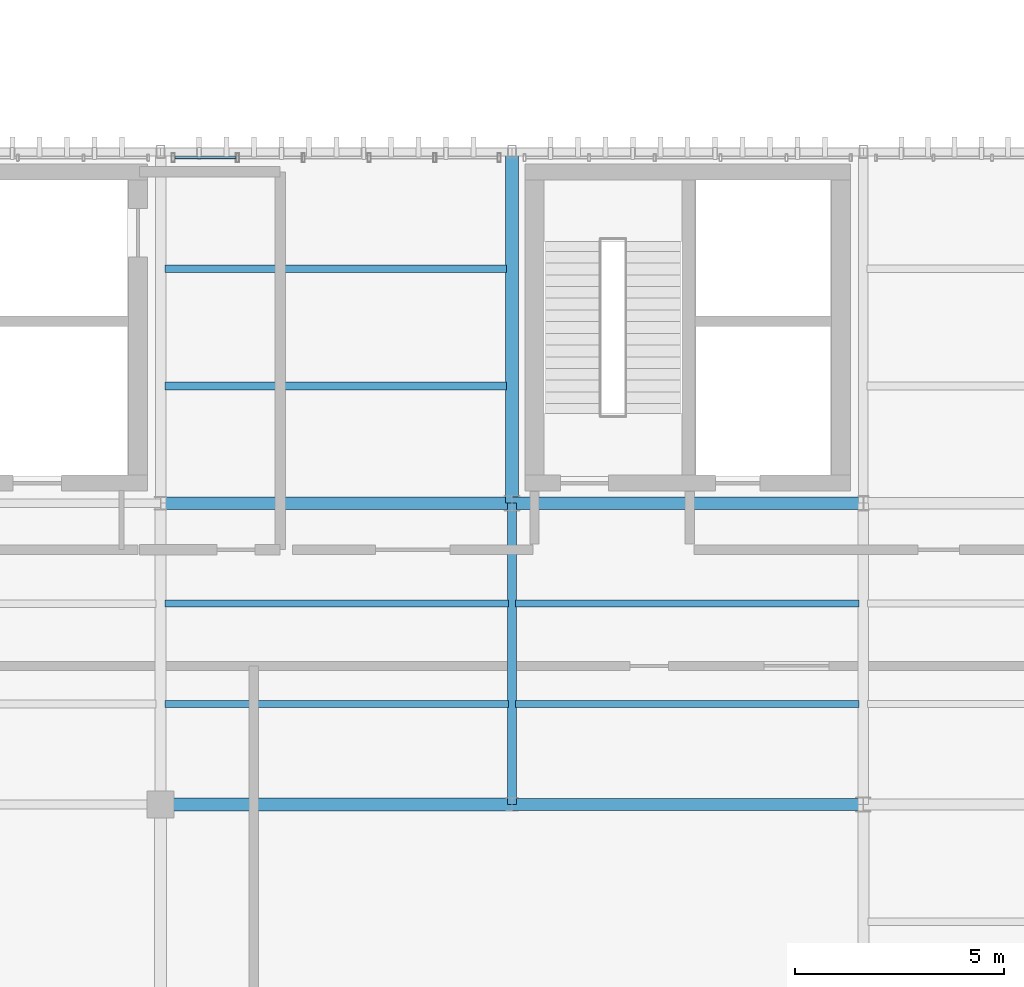
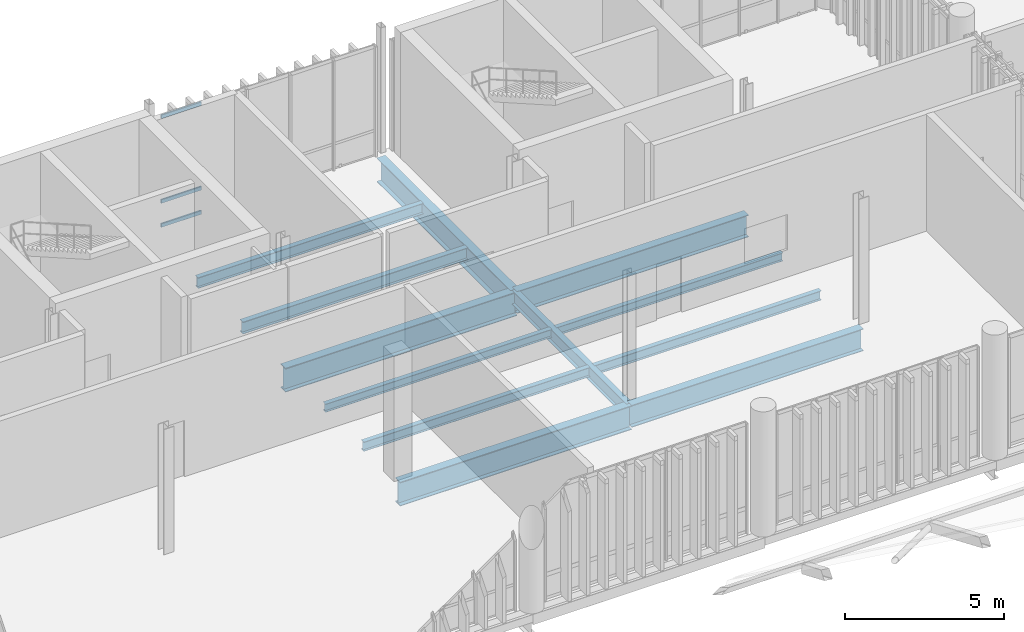
# One storey, part 24 of 94: 12 beams, 3 members, 1 element without a shape of its own.
"""IFC4 building model written with IfcOpenShell, lengths in metres."""

import ifcopenshell
import ifcopenshell.guid

model = None  # the IFC model being written
_history = None  # IfcOwnerHistory: only IFC2X3 demands one
_inside = {}  # id of a spatial element -> (the spatial element, [elements in it])
_under = {}  # id of a project, library or spatial element -> (it, [spatial elements below it])
_declared = {}  # id of a project -> (the project, [libraries it declares])
_typed = {}  # id of a type object -> (the type object, [elements of that type])
_made_of = {}  # id of a material, layer set ... -> (it, [elements and type objects made of it])


def new_model(schema):
    """Start an empty IFC model of exactly this schema.

    Asked for "IFC4X3", IfcOpenShell would pick the latest addendum, in which some entities
    have other attributes; the version numbers below select the first issue.
    IFC2X3 requires an IfcOwnerHistory on every rooted entity: one is made here for all.
    """
    global model, _history
    if schema == "IFC4X3":
        model = ifcopenshell.file(schema_version=(4, 3, 0, 0))
    else:
        model = ifcopenshell.file(schema=schema)
    _inside.clear()
    _under.clear()
    _declared.clear()
    _typed.clear()
    _made_of.clear()
    _history = None
    if model.schema == "IFC2X3":
        org = make("IfcOrganization", Name="unknown")
        user = make(
            "IfcPersonAndOrganization",
            ThePerson=make("IfcPerson", FamilyName="unknown"),
            TheOrganization=org,
        )
        app = make(
            "IfcApplication",
            ApplicationDeveloper=org,
            Version="unknown",
            ApplicationFullName="unknown",
            ApplicationIdentifier="unknown",
        )
        _history = make(
            "IfcOwnerHistory",
            OwningUser=user,
            OwningApplication=app,
            ChangeAction="ADDED",
            CreationDate=0,
        )
    return model


def make(cls, **values):
    """One entity of the class cls with the attributes given. An attribute that is None is left unset."""
    return model.create_entity(
        cls, **{name: value for name, value in values.items() if value is not None}
    )


def rooted(cls, **values):
    """An entity with a GlobalId (a new one), such as an element, a storey or a relation."""
    return make(cls, GlobalId=ifcopenshell.guid.new(), OwnerHistory=_history, **values)


def si_unit(unit_type, name, prefix=None):
    """IfcSIUnit, for example si_unit("LENGTHUNIT", "METRE", prefix="MILLI")."""
    return make("IfcSIUnit", UnitType=unit_type, Prefix=prefix, Name=name)


def assignment(units):
    """IfcUnitAssignment: the units of a project."""
    return None if units is None else make("IfcUnitAssignment", Units=units)


def point(xyz):
    """IfcCartesianPoint."""
    return None if xyz is None else make("IfcCartesianPoint", Coordinates=xyz)


def direction(xyz):
    """IfcDirection."""
    return None if xyz is None else make("IfcDirection", DirectionRatios=xyz)


def frame(location, z_axis=None, x_axis=None):
    """IfcAxis2Placement3D, a coordinate frame: its origin and axes. An axis left out is left unset."""
    return make(
        "IfcAxis2Placement3D",
        Location=point(location),
        Axis=direction(z_axis),
        RefDirection=direction(x_axis),
    )


def frame_2d(location, x_axis=None):
    """IfcAxis2Placement2D, a coordinate frame in the plane: its origin and x axis."""
    return make(
        "IfcAxis2Placement2D", Location=point(location), RefDirection=direction(x_axis)
    )


def origin_with_axes():
    """The frame at (0, 0, 0) with the z axis (0, 0, 1) and the x axis (1, 0, 0) written out."""
    return frame((0.0, 0.0, 0.0), z_axis=(0.0, 0.0, 1.0), x_axis=(1.0, 0.0, 0.0))


def origin_2d_with_axis():
    """The frame at (0, 0) in the plane with the x axis (1, 0) written out."""
    return frame_2d((0.0, 0.0), x_axis=(1.0, 0.0))


def place(relative_to, where):
    """IfcLocalPlacement: puts the frame where relative to a parent placement (None: the world)."""
    return make(
        "IfcLocalPlacement", PlacementRelTo=relative_to, RelativePlacement=where
    )


def context(
    kind, dimensions, precision=None, world=None, true_north=None, identifier=None
):
    """IfcGeometricRepresentationContext, for example the 3D "Model" context."""
    return make(
        "IfcGeometricRepresentationContext",
        ContextIdentifier=identifier,
        ContextType=kind,
        CoordinateSpaceDimension=dimensions,
        Precision=precision,
        WorldCoordinateSystem=world,
        TrueNorth=true_north,
    )


def subcontext(parent, identifier, kind, view, scale=None):
    """IfcGeometricRepresentationSubContext, for example "Body" below "Model"."""
    return make(
        "IfcGeometricRepresentationSubContext",
        ContextIdentifier=identifier,
        ContextType=kind,
        ParentContext=parent,
        TargetScale=scale,
        TargetView=view,
    )


def project(units=None, contexts=None):
    """IfcProject with its units and contexts."""
    return rooted(
        "IfcProject",
        Name="project",
        RepresentationContexts=contexts,
        UnitsInContext=assignment(units),
    )


def spatial(cls, under=None, at=None, **own):
    """A site, building, storey or space (cls), placed at a placement, below another one or the project."""
    s = rooted(cls, ObjectPlacement=at, **own)
    if under is not None:
        _under.setdefault(under.id(), (under, []))[1].append(s)
    return s


def profile(cls, at=None, kind="AREA", **sizes):
    """A parametric profile (cls). Its sizes go by their IFC names, for example OverallWidth=200.0."""
    return make(cls, ProfileType=kind, Position=at, **sizes)


def hollow_rectangle(**sizes):
    """IfcRectangleHollowProfileDef."""
    return profile("IfcRectangleHollowProfileDef", **sizes)


def i_section(**sizes):
    """IfcIShapeProfileDef."""
    return profile("IfcIShapeProfileDef", **sizes)


def extrude(swept, where, along, depth):
    """IfcExtrudedAreaSolid: the profile swept, set in the frame where, extruded along a direction by depth."""
    return make(
        "IfcExtrudedAreaSolid",
        SweptArea=swept,
        Position=where,
        ExtrudedDirection=direction(along),
        Depth=depth,
    )


def shape(context_of_items, identifier, shape_type, items):
    """IfcShapeRepresentation: the items that make up one representation, for example the "Body"."""
    return make(
        "IfcShapeRepresentation",
        ContextOfItems=context_of_items,
        RepresentationIdentifier=identifier,
        RepresentationType=shape_type,
        Items=items,
    )


def material(Name=None, Category=None):
    """IfcMaterial."""
    return make("IfcMaterial", Name=Name, Category=Category)


def material_profile(
    of_material, cross_section, Name=None, Category=None, Priority=None
):
    """IfcMaterialProfile: a cross section and its material."""
    return make(
        "IfcMaterialProfile",
        Name=Name,
        Material=of_material,
        Profile=cross_section,
        Priority=Priority,
        Category=Category,
    )


def profile_set(profiles, Name=None, composite=None):
    """IfcMaterialProfileSet."""
    return make(
        "IfcMaterialProfileSet",
        Name=Name,
        MaterialProfiles=profiles,
        CompositeProfile=composite,
    )


def made_of(thing, what):
    """Note that an element or type object is made of a material, layer set ...; save() writes the relation."""
    if what is not None:
        _made_of.setdefault(what.id(), (what, []))[1].append(thing)
    return thing


def type_object(cls, material=None, **own):
    """A type object (cls), such as IfcWallType, which elements share."""
    return made_of(rooted(cls, **own), material)


def element(
    cls,
    number,
    at=None,
    inside=None,
    cuts=None,
    type_object=None,
    material=None,
    context=None,
    identifier="Body",
    shape_type=None,
    held_by="IfcProductDefinitionShape",
    body=None,
    shapes=None,
    **own,
):
    """One element of the class cls, such as IfcWall. Its Tag is "e" and its number.

    at: its placement. inside: the storey or other place that contains it. cuts: it is an
    opening in that element (IfcRelVoidsElement). A single representation is given by context,
    identifier, shape_type and body (its items); several are given by shapes. held_by: the class
    of the entity that holds the representations. save() writes the other relations.
    """
    e = rooted(cls, Tag="e%d" % number, ObjectPlacement=at, **own)
    if body is not None:
        shapes = [shape(context, identifier, shape_type, body)]
    if shapes is not None:
        e.Representation = make(held_by, Representations=shapes)
    if inside is not None:
        _inside.setdefault(inside.id(), (inside, []))[1].append(e)
    if cuts is not None:
        rooted(
            "IfcRelVoidsElement", RelatingBuildingElement=cuts, RelatedOpeningElement=e
        )
    if type_object is not None:
        _typed.setdefault(type_object.id(), (type_object, []))[1].append(e)
    return made_of(e, material)


def aggregate(whole, parts):
    """IfcRelAggregates: a whole, such as a stair, and the parts it consists of."""
    return rooted("IfcRelAggregates", RelatingObject=whole, RelatedObjects=parts)


def save(model, path):
    """Write the relations noted so far, then the file.

    IfcRelAggregates (storeys below a building ...), IfcRelContainedInSpatialStructure (elements
    in a storey), IfcRelDefinesByType, IfcRelAssociatesMaterial and IfcRelDeclares: one each for
    every whole, place, type object, material and project.
    """
    for whole, parts in _under.values():
        aggregate(whole, parts)
    for where, things in _inside.values():
        rooted(
            "IfcRelContainedInSpatialStructure",
            RelatedElements=things,
            RelatingStructure=where,
        )
    for kind, things in _typed.values():
        rooted("IfcRelDefinesByType", RelatedObjects=things, RelatingType=kind)
    for what, things in _made_of.values():
        rooted("IfcRelAssociatesMaterial", RelatedObjects=things, RelatingMaterial=what)
    for by, libraries in _declared.values():
        rooted("IfcRelDeclares", RelatingContext=by, RelatedDefinitions=libraries)
    model.write(path)


model = new_model("IFC4")

# Units and contexts
model_context = context("Model", 3, precision=1e-05, world=origin_with_axes(), true_north=direction((0.0, 1.0)))
body_context = subcontext(model_context, "Body", "Model", "MODEL_VIEW")
ifc_project = project(units=[si_unit("LENGTHUNIT", "METRE"), si_unit("AREAUNIT", "SQUARE_METRE"), si_unit("VOLUMEUNIT", "CUBIC_METRE"), si_unit("PLANEANGLEUNIT", "RADIAN"), si_unit("MASSUNIT", "GRAM", prefix="KILO"), si_unit("THERMODYNAMICTEMPERATUREUNIT", "KELVIN")], contexts=[model_context])

# Site, building, storey
site_placement = place(None, origin_with_axes())
site = spatial("IfcSite", under=ifc_project, at=site_placement, CompositionType="ELEMENT")
building_placement = place(site_placement, origin_with_axes())
building = spatial("IfcBuilding", under=site, at=building_placement, Name="Montbau Bow Law Courts", CompositionType="ELEMENT")
storey_placement = place(building_placement, frame((0.0, 0.0, 15.6), z_axis=(0.0, 0.0, 1.0), x_axis=(1.0, 0.0, 0.0)))
storey = spatial("IfcBuildingStorey", under=building, at=storey_placement, Name="L03", CompositionType="ELEMENT", Elevation=15.6)

# Beams
ifc_material_1 = material(Name="Steel CSA G40.21 Grade 350W (350 MPa)", Category="steel")
ifc_material_profile_1 = material_profile(ifc_material_1, i_section(OverallWidth=0.306, OverallDepth=0.919, WebThickness=0.0173, FlangeThickness=0.0279, at=origin_2d_with_axis()), Name="W920X253", Category="Main", Priority=0)
ifc_profile_set_1 = profile_set([ifc_material_profile_1], Name="Steel CSA G40.21 Grade 350W (350 MPa)")
beam_type_1 = type_object("IfcBeamType", Name="B-FLR-01", PredefinedType="BEAM", material=ifc_profile_set_1)
for number, where, z_axis, x_axis, name in (
    (1, (22.2, 39.0, 14.9), (1.0, 0.0, 0.0), (0.0, 1.0, 0.0), "BM-L03-S0588:bm2_0591"),
    (2, (22.2, 46.2, 14.9), (1.0, 0.0, 0.0), (0.0, 1.0, 0.0), "BM-L03-S0593:bm2_0596"),
    (3, (30.6, 46.2, 14.9), (0.0, 1.0, 0.0), (-1.0, 0.0, 0.0), "BM-L03-S0610:bm2_0613"),
):
    element("IfcBeam", number, at=place(None, frame(where, z_axis=z_axis, x_axis=x_axis)), inside=storey, type_object=beam_type_1, Name=name, PredefinedType="BEAM", context=body_context, shape_type="SweptSolid", body=[
        extrude(i_section(OverallWidth=0.306, OverallDepth=0.919, WebThickness=0.0173, FlangeThickness=0.0279, at=origin_2d_with_axis()), origin_with_axes(), (0.0, 0.0, 1.0), 8.4),
    ])
ifc_material_profile_2 = material_profile(ifc_material_1, i_section(OverallWidth=0.293, OverallDepth=0.846, WebThickness=0.0154, FlangeThickness=0.0244, at=origin_2d_with_axis()), Name="W840X210", Category="Main", Priority=0)
ifc_profile_set_2 = profile_set([ifc_material_profile_2], Name="Steel CSA G40.21 Grade 350W (350 MPa)")
beam_type_2 = type_object("IfcBeamType", Name="B-FLR-02", PredefinedType="BEAM", material=ifc_profile_set_2)
for number, where, z_axis, x_axis, name in (
    (4, (30.6, 39.0, 14.937), (1.0, 0.0, 0.0), (0.0, 1.0, 0.0), "BM-L03-S0589:bm2_0592"),
    (5, (30.6, 46.2, 14.937), (1.0, 0.0, 0.0), (0.0, 1.0, 0.0), "BM-L03-S0594:bm2_0597"),
):
    element("IfcBeam", number, at=place(None, frame(where, z_axis=z_axis, x_axis=x_axis)), inside=storey, type_object=beam_type_2, Name=name, PredefinedType="BEAM", context=body_context, shape_type="SweptSolid", body=[
        extrude(i_section(OverallWidth=0.293, OverallDepth=0.846, WebThickness=0.0154, FlangeThickness=0.0244, at=origin_2d_with_axis()), origin_with_axes(), (0.0, 0.0, 1.0), 8.4),
    ])
ifc_material_profile_3 = material_profile(ifc_material_1, i_section(OverallWidth=0.21, OverallDepth=0.537, WebThickness=0.0109, FlangeThickness=0.0174, at=origin_2d_with_axis()), Name="W530X101", Category="Main", Priority=0)
ifc_profile_set_3 = profile_set([ifc_material_profile_3], Name="Steel CSA G40.21 Grade 350W (350 MPa)")
beam_type_3 = type_object("IfcBeamType", Name="B-FLR-06", PredefinedType="BEAM", material=ifc_profile_set_3)
beam_1_placement = place(None, frame((30.6, 39.0, 15.091), z_axis=(0.0, 1.0, 0.0), x_axis=(-1.0, 0.0, 0.0)))
element("IfcBeam", 6, at=beam_1_placement, inside=storey, type_object=beam_type_3, Name="BM-L03-S0609:bm2_0612", PredefinedType="BEAM", context=body_context, shape_type="SweptSolid", body=[
    extrude(i_section(OverallWidth=0.21, OverallDepth=0.537, WebThickness=0.0109, FlangeThickness=0.0174, at=origin_2d_with_axis()), origin_with_axes(), (0.0, 0.0, 1.0), 7.2),
])
ifc_material_profile_4 = material_profile(ifc_material_1, i_section(OverallWidth=0.191, OverallDepth=0.46, WebThickness=0.0099, FlangeThickness=0.016, at=origin_2d_with_axis()), Name="W460X82", Category="Main", Priority=0)
ifc_profile_set_4 = profile_set([ifc_material_profile_4], Name="Steel CSA G40.21 Grade 350W (350 MPa)")
beam_type_4 = type_object("IfcBeamType", Name="B-JST-01", PredefinedType="JOIST", material=ifc_profile_set_4)
beam_2_placement = place(None, frame((22.303, 49.0, 15.13), z_axis=(1.0, 0.0, 0.0), x_axis=(0.0, 1.0, 0.0)))
element("IfcBeam", 7, at=beam_2_placement, inside=storey, type_object=beam_type_4, Name="JST-L03-S0292:jst2_0292", PredefinedType="JOIST", context=body_context, shape_type="SweptSolid", body=[
    extrude(i_section(OverallWidth=0.191, OverallDepth=0.46, WebThickness=0.0099, FlangeThickness=0.016, at=origin_2d_with_axis()), origin_with_axes(), (0.0, 0.0, 1.0), 8.168),
])
ifc_material_profile_5 = material_profile(ifc_material_1, i_section(OverallWidth=0.179, OverallDepth=0.41, WebThickness=0.0088, FlangeThickness=0.0144, at=origin_2d_with_axis()), Name="W410X67", Category="Main", Priority=0)
ifc_profile_set_5 = profile_set([ifc_material_profile_5], Name="Steel CSA G40.21 Grade 350W (350 MPa)")
beam_type_5 = type_object("IfcBeamType", Name="B-JST-02", PredefinedType="JOIST", material=ifc_profile_set_5)
beam_3_placement = place(None, frame((22.303, 51.8, 15.155), z_axis=(1.0, 0.0, 0.0), x_axis=(0.0, 1.0, 0.0)))
element("IfcBeam", 8, at=beam_3_placement, inside=storey, type_object=beam_type_5, Name="JST-L03-S0293:jst2_0293", PredefinedType="JOIST", context=body_context, shape_type="SweptSolid", body=[
    extrude(i_section(OverallWidth=0.179, OverallDepth=0.41, WebThickness=0.0088, FlangeThickness=0.0144, at=origin_2d_with_axis()), origin_with_axes(), (0.0, 0.0, 1.0), 8.168),
])
ifc_material_profile_6 = material_profile(ifc_material_1, i_section(OverallWidth=0.172, OverallDepth=0.358, WebThickness=0.0079, FlangeThickness=0.0131, at=origin_2d_with_axis()), Name="W360X57", Category="Main", Priority=0)
ifc_profile_set_6 = profile_set([ifc_material_profile_6], Name="Steel CSA G40.21 Grade 350W (350 MPa)")
beam_type_6 = type_object("IfcBeamType", Name="B-JST-03", PredefinedType="JOIST", material=ifc_profile_set_6)
beam_4_placement = place(None, frame((22.309, 41.4, 15.181), z_axis=(1.0, 0.0, 0.0), x_axis=(0.0, 1.0, 0.0)))
element("IfcBeam", 9, at=beam_4_placement, inside=storey, type_object=beam_type_6, Name="JST-L03-S0290:jst2_0290", PredefinedType="JOIST", context=body_context, shape_type="SweptSolid", body=[
    extrude(i_section(OverallWidth=0.172, OverallDepth=0.358, WebThickness=0.0079, FlangeThickness=0.0131, at=origin_2d_with_axis()), origin_with_axes(), (0.0, 0.0, 1.0), 8.21),
])
beam_5_placement = place(None, frame((30.681, 41.4, 15.181), z_axis=(1.0, 0.0, 0.0), x_axis=(0.0, 1.0, 0.0)))
element("IfcBeam", 10, at=beam_5_placement, inside=storey, type_object=beam_type_6, Name="JST-L03-S0294:jst2_0294", PredefinedType="JOIST", context=body_context, shape_type="SweptSolid", body=[
    extrude(i_section(OverallWidth=0.172, OverallDepth=0.358, WebThickness=0.0079, FlangeThickness=0.0131, at=origin_2d_with_axis()), origin_with_axes(), (0.0, 0.0, 1.0), 8.216),
])
ifc_material_profile_7 = material_profile(ifc_material_1, i_section(OverallWidth=0.166, OverallDepth=0.313, WebThickness=0.0066, FlangeThickness=0.0112, at=origin_2d_with_axis()), Name="W310X45", Category="Main", Priority=0)
ifc_profile_set_7 = profile_set([ifc_material_profile_7], Name="Steel CSA G40.21 Grade 350W (350 MPa)")
beam_type_7 = type_object("IfcBeamType", Name="B-JST-04", PredefinedType="JOIST", material=ifc_profile_set_7)
beam_6_placement = place(None, frame((22.309, 43.8, 15.204), z_axis=(1.0, 0.0, 0.0), x_axis=(0.0, 1.0, 0.0)))
element("IfcBeam", 11, at=beam_6_placement, inside=storey, type_object=beam_type_7, Name="JST-L03-S0291:jst2_0291", PredefinedType="JOIST", context=body_context, shape_type="SweptSolid", body=[
    extrude(i_section(OverallWidth=0.166, OverallDepth=0.313, WebThickness=0.0066, FlangeThickness=0.0112, at=origin_2d_with_axis()), origin_with_axes(), (0.0, 0.0, 1.0), 8.21),
])
beam_7_placement = place(None, frame((30.681, 43.8, 15.204), z_axis=(1.0, 0.0, 0.0), x_axis=(0.0, 1.0, 0.0)))
element("IfcBeam", 12, at=beam_7_placement, inside=storey, type_object=beam_type_7, Name="JST-L03-S0295:jst2_0295", PredefinedType="JOIST", context=body_context, shape_type="SweptSolid", body=[
    extrude(i_section(OverallWidth=0.166, OverallDepth=0.313, WebThickness=0.0066, FlangeThickness=0.0112, at=origin_2d_with_axis()), origin_with_axes(), (0.0, 0.0, 1.0), 8.216),
])

# Curtain wall, members
ifc_material_2 = material(Name="Thermally Broken Extruded Aluminium AA 6063-T6", Category="aluminium")
curtain_wall_type = type_object("IfcCurtainWallType", Name="CW-TRC-01", PredefinedType="NOTDEFINED", material=ifc_material_2)
curtain_wall_placement = place(None, frame((22.467, 54.46, 15.6), z_axis=(0.0, 0.0, 1.0), x_axis=(1.0, 0.0, 0.0)))
curtain_wall = element("IfcCurtainWall", 13, at=curtain_wall_placement, inside=storey, type_object=curtain_wall_type, Name="CW-L03-057:cw_0057", PredefinedType="NOTDEFINED")
ifc_material_profile_8 = material_profile(ifc_material_2, hollow_rectangle(XDim=0.055, YDim=0.14, WallThickness=0.004, InnerFilletRadius=0.008, OuterFilletRadius=0.004, at=origin_2d_with_axis()), Name="CWT-140X55", Category="Main", Priority=0)
ifc_profile_set_8 = profile_set([ifc_material_profile_8], Name="Thermally Broken Extruded Aluminium AA 6063-T6")
member_type = type_object("IfcMemberType", Name="M-TRN-02", PredefinedType="USERDEFINED", material=ifc_profile_set_8)
member_1_placement = place(None, frame((22.543, 54.46, 15.627), z_axis=(1.0, 0.0, 0.0), x_axis=(0.0, 1.0, 0.0)))
member_1 = element("IfcMember", 14, at=member_1_placement, type_object=member_type, Name="CW-L03-057-T01-1:cw_0057_T01_1", ObjectType="TRANSOM", PredefinedType="USERDEFINED", context=body_context, shape_type="SweptSolid", body=[
    extrude(hollow_rectangle(XDim=0.055, YDim=0.14, WallThickness=0.004, InnerFilletRadius=0.008, OuterFilletRadius=0.004, at=origin_2d_with_axis()), origin_with_axes(), (0.0, 0.0, 1.0), 1.457),
])
member_2_placement = place(None, frame((22.543, 54.46, 16.55), z_axis=(1.0, 0.0, 0.0), x_axis=(0.0, 1.0, 0.0)))
member_2 = element("IfcMember", 15, at=member_2_placement, type_object=member_type, Name="CW-L03-057-T01-2:cw_0057_T01_2", ObjectType="TRANSOM", PredefinedType="USERDEFINED", context=body_context, shape_type="SweptSolid", body=[
    extrude(hollow_rectangle(XDim=0.055, YDim=0.14, WallThickness=0.004, InnerFilletRadius=0.008, OuterFilletRadius=0.004, at=origin_2d_with_axis()), origin_with_axes(), (0.0, 0.0, 1.0), 1.457),
])
member_3_placement = place(None, frame((22.543, 54.46, 19.793), z_axis=(1.0, 0.0, 0.0), x_axis=(0.0, 1.0, 0.0)))
member_3 = element("IfcMember", 16, at=member_3_placement, type_object=member_type, Name="CW-L03-057-T01-3:cw_0057_T01_3", ObjectType="TRANSOM", PredefinedType="USERDEFINED", context=body_context, shape_type="SweptSolid", body=[
    extrude(hollow_rectangle(XDim=0.055, YDim=0.14, WallThickness=0.004, InnerFilletRadius=0.008, OuterFilletRadius=0.004, at=origin_2d_with_axis()), origin_with_axes(), (0.0, 0.0, 1.0), 1.457),
])
aggregate(curtain_wall, [member_1, member_2, member_3])

save(model, "model.ifc")
